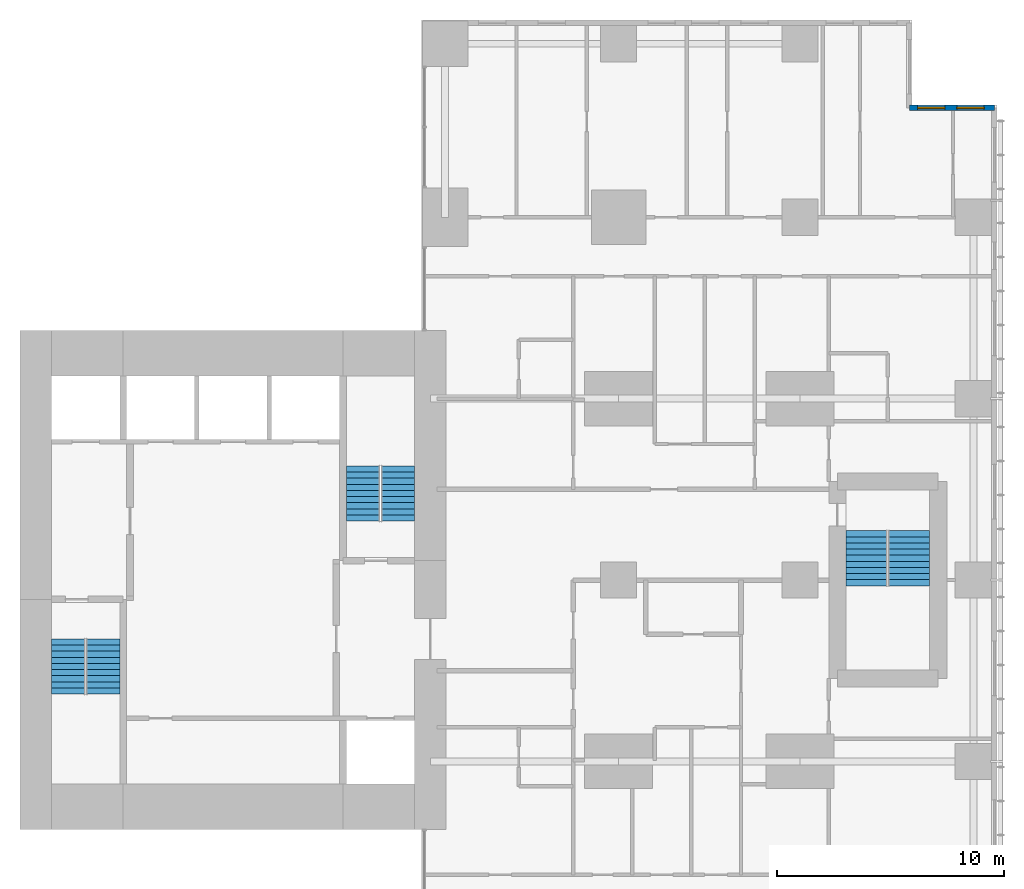
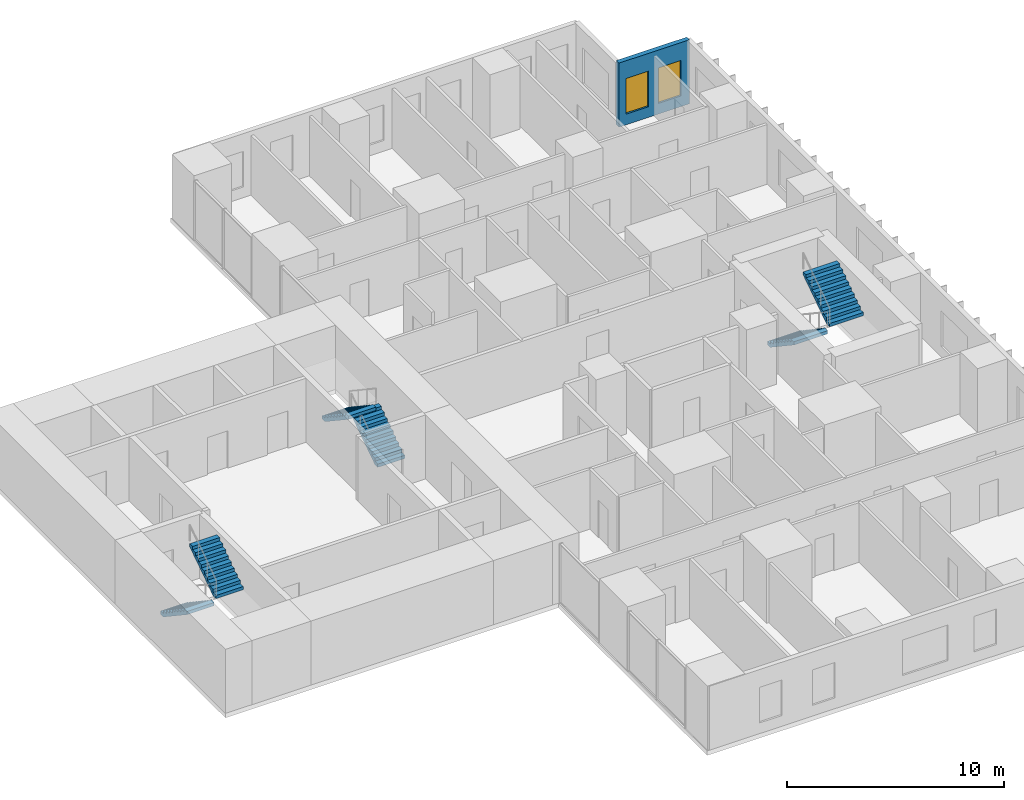
# One storey, part 11 of 12: 6 stair flights, 2 windows, 1 wall, 2 openings, 3 elements without a shape of their own.
"""IFC4 building model written with IfcOpenShell, lengths in metres."""

from ifc_helpers import new_model, si_unit, direction, frame, frame_2d, origin, place, context, subcontext, project, spatial, polyline, rectangle, outline, extrude, material, layer, layer_set, type_object, element, fill, aggregate, save


model = new_model("IFC4")

# Units and contexts
model_context = context("Model", 3, precision=1e-05, world=origin(), true_north=direction((0.0, 1.0)))
body_context = subcontext(model_context, "Body", "Model", "MODEL_VIEW")
ifc_project = project(units=[si_unit("LENGTHUNIT", "METRE"), si_unit("AREAUNIT", "SQUARE_METRE"), si_unit("VOLUMEUNIT", "CUBIC_METRE"), si_unit("PLANEANGLEUNIT", "RADIAN"), si_unit("MASSUNIT", "GRAM", prefix="KILO")], contexts=[model_context])

# Site, building, storey
site_placement = place(None, origin())
site = spatial("IfcSite", under=ifc_project, at=site_placement, CompositionType="ELEMENT")
building_placement = place(site_placement, origin())
building = spatial("IfcBuilding", under=site, at=building_placement, Name="Cleftline Residences", CompositionType="ELEMENT")
storey_placement = place(building_placement, frame((0.0, 0.0, 234.0)))
storey = spatial("IfcBuildingStorey", under=building, at=storey_placement, Name="L61", CompositionType="ELEMENT", Elevation=234.0)

# Wall, openings, windows
ifc_material_1 = material(Name="Rendered reinforced concrete blockwork", Category="masonry")
ifc_layer = layer(ifc_material_1, 0.25)
ifc_layer_set = layer_set([ifc_layer], Name="EXTERNAL WALL 250")
wall_type = type_object("IfcWallType", Name="EXTERNAL WALL 250", PredefinedType="SOLIDWALL", material=ifc_layer_set)
wall_placement = place(storey_placement, frame((66.574951171875, 44.824951171875, 0.0), z_axis=(0.0, 0.0, 1.0), x_axis=(-1.0, 0.0, 0.0)))
wall = element("IfcWall", 1, at=wall_placement, inside=storey, type_object=wall_type, Name="External wall", PredefinedType="SOLIDWALL", context=body_context, shape_type="SweptSolid", body=[
    extrude(rectangle(XDim=3.75, YDim=0.25, at=frame_2d((1.875, 0.0))), origin(), (0.0, 0.0, 1.0), 3.60009765625),
])
opening_1_placement = place(wall_placement, frame((0.449951171875, 0.0, 0.60009765625)))
opening_1 = element("IfcOpeningElement", 2, at=opening_1_placement, cuts=wall, Name="Opening W8", PredefinedType="OPENING", context=body_context, shape_type="SweptSolid", body=[
    extrude(rectangle(XDim=1.199951171875, YDim=2.0, at=frame_2d((0.60009765625, 1.0))), frame((0.0, 0.135009765625, 0.0), z_axis=(0.0, -1.0, 0.0), x_axis=(1.0, 0.0, 0.0)), (0.0, 0.0, 1.0), 0.27001953125),
])
opening_2_placement = place(wall_placement, frame((2.1875, 0.0, 0.60009765625)))
opening_2 = element("IfcOpeningElement", 3, at=opening_2_placement, cuts=wall, Name="Opening W8", PredefinedType="OPENING", context=body_context, shape_type="SweptSolid", body=[
    extrude(rectangle(XDim=1.199951171875, YDim=2.0, at=frame_2d((0.60009765625, 1.0))), frame((0.0, 0.135009765625, 0.0), z_axis=(0.0, -1.0, 0.0), x_axis=(1.0, 0.0, 0.0)), (0.0, 0.0, 1.0), 0.27001953125),
])
ifc_material_2 = material(Name="Aluminium frame, clear double glazing", Category="aluminium")
window_type = type_object("IfcWindowType", Name="WINDOW 1200X2000", PartitioningType="DOUBLE_PANEL_VERTICAL", PredefinedType="WINDOW", material=ifc_material_2)
window_1_placement = place(opening_1_placement, origin())
window_1 = element("IfcWindow", 4, at=window_1_placement, inside=storey, type_object=window_type, Name="Window", OverallHeight=2.0, OverallWidth=1.199951171875, PartitioningType="SINGLE_PANEL", PredefinedType="WINDOW", context=body_context, shape_type="SweptSolid", body=[
    extrude(rectangle(XDim=1.199951171875, YDim=2.0, at=frame_2d((0.60009765625, 1.0))), frame((0.0, 0.030029296875, 0.0), z_axis=(0.0, -1.0, 0.0), x_axis=(1.0, 0.0, 0.0)), (0.0, 0.0, 1.0), 0.06005859375),
])
fill(opening_1, window_1)
window_2_placement = place(opening_2_placement, origin())
window_2 = element("IfcWindow", 5, at=window_2_placement, inside=storey, type_object=window_type, Name="Window", OverallHeight=2.0, OverallWidth=1.199951171875, PartitioningType="SINGLE_PANEL", PredefinedType="WINDOW", context=body_context, shape_type="SweptSolid", body=[
    extrude(rectangle(XDim=1.199951171875, YDim=2.0, at=frame_2d((0.60009765625, 1.0))), frame((0.0, 0.030029296875, 0.0), z_axis=(0.0, -1.0, 0.0), x_axis=(1.0, 0.0, 0.0)), (0.0, 0.0, 1.0), 0.06005859375),
])
fill(opening_2, window_2)

# Stair, stair flights
ifc_material_3 = material(Name="Concrete B45, stone treads", Category="masonry")
stair_type_1 = type_object("IfcStairType", Name="STAIR A 1450 WIDE 180 RISER", PredefinedType="HALF_TURN_STAIR", material=ifc_material_3)
stair_1_placement = place(storey_placement, origin())
stair_1 = element("IfcStair", 6, at=stair_1_placement, inside=storey, type_object=stair_type_1, Name="Stair A L61", PredefinedType="HALF_TURN_STAIR")
ifc_material_4 = material(Name="Concrete B45", Category="concrete")
stair_flight_type_1 = type_object("IfcStairFlightType", Name="STAIR A FLIGHT 1450X180", PredefinedType="STRAIGHT", material=ifc_material_4)
stair_flight_1_placement = place(storey_placement, frame((25.72509765625, 21.39990234375, 0.0), z_axis=(0.0, 0.0, 1.0), x_axis=(0.0, -1.0, 0.0)))
stair_flight_1 = element("IfcStairFlight", 7, at=stair_flight_1_placement, type_object=stair_flight_type_1, Name="ST-A flight 1", NumberOfRisers=10, NumberOfTreads=9, PredefinedType="STRAIGHT", RiserHeight=0.18, TreadLength=0.27, context=body_context, shape_type="SweptSolid", body=[
    extrude(outline(polyline([(0.0, 0.0), (0.0, 0.013916015625), (0.0, 0.027587890625), (0.0, 0.04150390625), (0.0, 0.055419921875), (0.0, 0.0693359375), (0.0, 0.0830078125), (0.0, 0.096923828125), (0.0, 0.11083984375), (0.0, 0.12451171875), (0.0, 0.138427734375), (0.0, 0.15234375), (0.0, 0.166259765625), (0.0, 0.179931640625), (0.27001953125, 0.179931640625), (0.27001953125, 0.360107421875), (0.5400390625, 0.360107421875), (0.5400390625, 0.5400390625), (0.81005859375, 0.5400390625), (0.81005859375, 0.719970703125), (1.080078125, 0.719970703125), (1.080078125, 0.89990234375), (1.35009765625, 0.89990234375), (1.35009765625, 1.080078125), (1.6201171875, 1.080078125), (1.6201171875, 1.260009765625), (1.889892578125, 1.260009765625), (1.889892578125, 1.43994140625), (2.159912109375, 1.43994140625), (2.159912109375, 1.6201171875), (2.429931640625, 1.6201171875), (2.429931640625, 1.800048828125), (2.429931640625, 1.772216796875), (2.429931640625, 1.74462890625), (2.429931640625, 1.716796875), (2.429931640625, 1.689208984375), (2.429931640625, 1.661376953125), (2.429931640625, 1.6337890625), (2.429931640625, 1.60595703125), (2.429931640625, 1.578369140625), (2.429931640625, 1.550537109375), (2.429931640625, 1.52294921875), (2.429931640625, 1.495361328125), (2.429931640625, 1.467529296875), (2.429931640625, 1.43994140625), (0.270263671875, 0.0), (0.0, 0.0)])), frame((0.0, 0.72509765625, 0.0), z_axis=(0.0, -1.0, 0.0), x_axis=(1.0, 0.0, 0.0)), (0.0, 0.0, 1.0), 1.449951171875),
])
stair_flight_2_placement = place(storey_placement, frame((27.27490234375, 18.969970703125, 1.800048828125), z_axis=(0.0, 0.0, 1.0), x_axis=(0.0, 1.0, 0.0)))
stair_flight_2 = element("IfcStairFlight", 8, at=stair_flight_2_placement, type_object=stair_flight_type_1, Name="ST-A flight 2", NumberOfRisers=10, NumberOfTreads=9, PredefinedType="STRAIGHT", RiserHeight=0.18, TreadLength=0.27, context=body_context, shape_type="SweptSolid", body=[
    extrude(outline(polyline([(0.0, 0.0), (0.0, 0.013916015625), (0.0, 0.027587890625), (0.0, 0.04150390625), (0.0, 0.055419921875), (0.0, 0.0693359375), (0.0, 0.0830078125), (0.0, 0.096923828125), (0.0, 0.11083984375), (0.0, 0.12451171875), (0.0, 0.138427734375), (0.0, 0.15234375), (0.0, 0.166259765625), (0.0, 0.179931640625), (0.27001953125, 0.179931640625), (0.27001953125, 0.360107421875), (0.5400390625, 0.360107421875), (0.5400390625, 0.5400390625), (0.81005859375, 0.5400390625), (0.81005859375, 0.719970703125), (1.080078125, 0.719970703125), (1.080078125, 0.89990234375), (1.35009765625, 0.89990234375), (1.35009765625, 1.080078125), (1.6201171875, 1.080078125), (1.6201171875, 1.260009765625), (1.889892578125, 1.260009765625), (1.889892578125, 1.43994140625), (2.159912109375, 1.43994140625), (2.159912109375, 1.6201171875), (2.429931640625, 1.6201171875), (2.429931640625, 1.800048828125), (2.429931640625, 1.772216796875), (2.429931640625, 1.74462890625), (2.429931640625, 1.716796875), (2.429931640625, 1.689208984375), (2.429931640625, 1.661376953125), (2.429931640625, 1.6337890625), (2.429931640625, 1.60595703125), (2.429931640625, 1.578369140625), (2.429931640625, 1.550537109375), (2.429931640625, 1.52294921875), (2.429931640625, 1.495361328125), (2.429931640625, 1.467529296875), (2.429931640625, 1.43994140625), (0.270263671875, 0.0), (0.0, 0.0)])), frame((0.0, 0.72509765625, 0.0), z_axis=(0.0, -1.0, 0.0), x_axis=(1.0, 0.0, 0.0)), (0.0, 0.0, 1.0), 1.449951171875),
])
aggregate(stair_1, [stair_flight_1, stair_flight_2])

ifc_material_5 = material(Name="Concrete B45, stone treads", Category="masonry")
stair_type_2 = type_object("IfcStairType", Name="STAIR B 1450 WIDE 180 RISER", PredefinedType="HALF_TURN_STAIR", material=ifc_material_5)
stair_2_placement = place(storey_placement, origin())
stair_2 = element("IfcStair", 9, at=stair_2_placement, inside=storey, type_object=stair_type_2, Name="Stair B L61", PredefinedType="HALF_TURN_STAIR")
ifc_material_6 = material(Name="Concrete B45", Category="concrete")
stair_flight_type_2 = type_object("IfcStairFlightType", Name="STAIR B FLIGHT 1450X180", PredefinedType="STRAIGHT", material=ifc_material_6)
stair_flight_3_placement = place(storey_placement, frame((40.27490234375, 26.60009765625, 0.0), z_axis=(0.0, 0.0, 1.0), x_axis=(0.0, 1.0, 0.0)))
stair_flight_3 = element("IfcStairFlight", 10, at=stair_flight_3_placement, type_object=stair_flight_type_2, Name="ST-B flight 1", NumberOfRisers=10, NumberOfTreads=9, PredefinedType="STRAIGHT", RiserHeight=0.18, TreadLength=0.27, context=body_context, shape_type="SweptSolid", body=[
    extrude(outline(polyline([(0.0, 0.0), (0.0, 0.013916015625), (0.0, 0.027587890625), (0.0, 0.04150390625), (0.0, 0.055419921875), (0.0, 0.0693359375), (0.0, 0.0830078125), (0.0, 0.096923828125), (0.0, 0.11083984375), (0.0, 0.12451171875), (0.0, 0.138427734375), (0.0, 0.15234375), (0.0, 0.166259765625), (0.0, 0.179931640625), (0.27001953125, 0.179931640625), (0.27001953125, 0.360107421875), (0.5400390625, 0.360107421875), (0.5400390625, 0.5400390625), (0.81005859375, 0.5400390625), (0.81005859375, 0.719970703125), (1.080078125, 0.719970703125), (1.080078125, 0.89990234375), (1.35009765625, 0.89990234375), (1.35009765625, 1.080078125), (1.6201171875, 1.080078125), (1.6201171875, 1.260009765625), (1.889892578125, 1.260009765625), (1.889892578125, 1.43994140625), (2.159912109375, 1.43994140625), (2.159912109375, 1.6201171875), (2.429931640625, 1.6201171875), (2.429931640625, 1.800048828125), (2.429931640625, 1.772216796875), (2.429931640625, 1.74462890625), (2.429931640625, 1.716796875), (2.429931640625, 1.689208984375), (2.429931640625, 1.661376953125), (2.429931640625, 1.6337890625), (2.429931640625, 1.60595703125), (2.429931640625, 1.578369140625), (2.429931640625, 1.550537109375), (2.429931640625, 1.52294921875), (2.429931640625, 1.495361328125), (2.429931640625, 1.467529296875), (2.429931640625, 1.43994140625), (0.270263671875, 0.0), (0.0, 0.0)])), frame((0.0, 0.72509765625, 0.0), z_axis=(0.0, -1.0, 0.0), x_axis=(1.0, 0.0, 0.0)), (0.0, 0.0, 1.0), 1.449951171875),
])
stair_flight_4_placement = place(storey_placement, frame((38.72509765625, 29.030029296875, 1.800048828125), z_axis=(0.0, 0.0, 1.0), x_axis=(0.0, -1.0, 0.0)))
stair_flight_4 = element("IfcStairFlight", 11, at=stair_flight_4_placement, type_object=stair_flight_type_2, Name="ST-B flight 2", NumberOfRisers=10, NumberOfTreads=9, PredefinedType="STRAIGHT", RiserHeight=0.18, TreadLength=0.27, context=body_context, shape_type="SweptSolid", body=[
    extrude(outline(polyline([(0.0, 0.0), (0.0, 0.013916015625), (0.0, 0.027587890625), (0.0, 0.04150390625), (0.0, 0.055419921875), (0.0, 0.0693359375), (0.0, 0.0830078125), (0.0, 0.096923828125), (0.0, 0.11083984375), (0.0, 0.12451171875), (0.0, 0.138427734375), (0.0, 0.15234375), (0.0, 0.166259765625), (0.0, 0.179931640625), (0.27001953125, 0.179931640625), (0.27001953125, 0.360107421875), (0.5400390625, 0.360107421875), (0.5400390625, 0.5400390625), (0.81005859375, 0.5400390625), (0.81005859375, 0.719970703125), (1.080078125, 0.719970703125), (1.080078125, 0.89990234375), (1.35009765625, 0.89990234375), (1.35009765625, 1.080078125), (1.6201171875, 1.080078125), (1.6201171875, 1.260009765625), (1.889892578125, 1.260009765625), (1.889892578125, 1.43994140625), (2.159912109375, 1.43994140625), (2.159912109375, 1.6201171875), (2.429931640625, 1.6201171875), (2.429931640625, 1.800048828125), (2.429931640625, 1.772216796875), (2.429931640625, 1.74462890625), (2.429931640625, 1.716796875), (2.429931640625, 1.689208984375), (2.429931640625, 1.661376953125), (2.429931640625, 1.6337890625), (2.429931640625, 1.60595703125), (2.429931640625, 1.578369140625), (2.429931640625, 1.550537109375), (2.429931640625, 1.52294921875), (2.429931640625, 1.495361328125), (2.429931640625, 1.467529296875), (2.429931640625, 1.43994140625), (0.270263671875, 0.0), (0.0, 0.0)])), frame((0.0, 0.72509765625, 0.0), z_axis=(0.0, -1.0, 0.0), x_axis=(1.0, 0.0, 0.0)), (0.0, 0.0, 1.0), 1.449951171875),
])
aggregate(stair_2, [stair_flight_3, stair_flight_4])

ifc_material_7 = material(Name="Concrete B45, stone treads", Category="masonry")
stair_type_3 = type_object("IfcStairType", Name="STAIR E 1800 WIDE 180 RISER", PredefinedType="HALF_TURN_STAIR", material=ifc_material_7)
stair_3_placement = place(storey_placement, origin())
stair_3 = element("IfcStair", 12, at=stair_3_placement, inside=storey, type_object=stair_type_3, Name="Stair E L61", PredefinedType="HALF_TURN_STAIR")
ifc_material_8 = material(Name="Concrete B45", Category="concrete")
stair_flight_type_3 = type_object("IfcStairFlightType", Name="STAIR E FLIGHT 1800X180", PredefinedType="STRAIGHT", material=ifc_material_8)
stair_flight_5_placement = place(storey_placement, frame((60.925048828125, 26.175048828125, 0.0), z_axis=(0.0, 0.0, 1.0), x_axis=(0.0, -1.0, 0.0)))
stair_flight_5 = element("IfcStairFlight", 13, at=stair_flight_5_placement, type_object=stair_flight_type_3, Name="ST-E flight 1", NumberOfRisers=10, NumberOfTreads=9, PredefinedType="STRAIGHT", RiserHeight=0.18, TreadLength=0.27, context=body_context, shape_type="SweptSolid", body=[
    extrude(outline(polyline([(0.0, 0.0), (0.0, 0.013916015625), (0.0, 0.027587890625), (0.0, 0.04150390625), (0.0, 0.055419921875), (0.0, 0.0693359375), (0.0, 0.0830078125), (0.0, 0.096923828125), (0.0, 0.11083984375), (0.0, 0.12451171875), (0.0, 0.138427734375), (0.0, 0.15234375), (0.0, 0.166259765625), (0.0, 0.179931640625), (0.27001953125, 0.179931640625), (0.27001953125, 0.360107421875), (0.5400390625, 0.360107421875), (0.5400390625, 0.5400390625), (0.81005859375, 0.5400390625), (0.81005859375, 0.719970703125), (1.080078125, 0.719970703125), (1.080078125, 0.89990234375), (1.35009765625, 0.89990234375), (1.35009765625, 1.080078125), (1.6201171875, 1.080078125), (1.6201171875, 1.260009765625), (1.889892578125, 1.260009765625), (1.889892578125, 1.43994140625), (2.159912109375, 1.43994140625), (2.159912109375, 1.6201171875), (2.429931640625, 1.6201171875), (2.429931640625, 1.800048828125), (2.429931640625, 1.772216796875), (2.429931640625, 1.74462890625), (2.429931640625, 1.716796875), (2.429931640625, 1.689208984375), (2.429931640625, 1.661376953125), (2.429931640625, 1.6337890625), (2.429931640625, 1.60595703125), (2.429931640625, 1.578369140625), (2.429931640625, 1.550537109375), (2.429931640625, 1.52294921875), (2.429931640625, 1.495361328125), (2.429931640625, 1.467529296875), (2.429931640625, 1.43994140625), (0.270263671875, 0.0), (0.0, 0.0)])), frame((0.0, 0.89990234375, 0.0), z_axis=(0.0, -1.0, 0.0), x_axis=(1.0, 0.0, 0.0)), (0.0, 0.0, 1.0), 1.800048828125),
])
stair_flight_6_placement = place(storey_placement, frame((62.824951171875, 23.7451171875, 1.800048828125), z_axis=(0.0, 0.0, 1.0), x_axis=(0.0, 1.0, 0.0)))
stair_flight_6 = element("IfcStairFlight", 14, at=stair_flight_6_placement, type_object=stair_flight_type_3, Name="ST-E flight 2", NumberOfRisers=10, NumberOfTreads=9, PredefinedType="STRAIGHT", RiserHeight=0.18, TreadLength=0.27, context=body_context, shape_type="SweptSolid", body=[
    extrude(outline(polyline([(0.0, 0.0), (0.0, 0.013916015625), (0.0, 0.027587890625), (0.0, 0.04150390625), (0.0, 0.055419921875), (0.0, 0.0693359375), (0.0, 0.0830078125), (0.0, 0.096923828125), (0.0, 0.11083984375), (0.0, 0.12451171875), (0.0, 0.138427734375), (0.0, 0.15234375), (0.0, 0.166259765625), (0.0, 0.179931640625), (0.27001953125, 0.179931640625), (0.27001953125, 0.360107421875), (0.5400390625, 0.360107421875), (0.5400390625, 0.5400390625), (0.81005859375, 0.5400390625), (0.81005859375, 0.719970703125), (1.080078125, 0.719970703125), (1.080078125, 0.89990234375), (1.35009765625, 0.89990234375), (1.35009765625, 1.080078125), (1.6201171875, 1.080078125), (1.6201171875, 1.260009765625), (1.889892578125, 1.260009765625), (1.889892578125, 1.43994140625), (2.159912109375, 1.43994140625), (2.159912109375, 1.6201171875), (2.429931640625, 1.6201171875), (2.429931640625, 1.800048828125), (2.429931640625, 1.772216796875), (2.429931640625, 1.74462890625), (2.429931640625, 1.716796875), (2.429931640625, 1.689208984375), (2.429931640625, 1.661376953125), (2.429931640625, 1.6337890625), (2.429931640625, 1.60595703125), (2.429931640625, 1.578369140625), (2.429931640625, 1.550537109375), (2.429931640625, 1.52294921875), (2.429931640625, 1.495361328125), (2.429931640625, 1.467529296875), (2.429931640625, 1.43994140625), (0.270263671875, 0.0), (0.0, 0.0)])), frame((0.0, 0.89990234375, 0.0), z_axis=(0.0, -1.0, 0.0), x_axis=(1.0, 0.0, 0.0)), (0.0, 0.0, 1.0), 1.800048828125),
])
aggregate(stair_3, [stair_flight_5, stair_flight_6])

save(model, "model.ifc")
